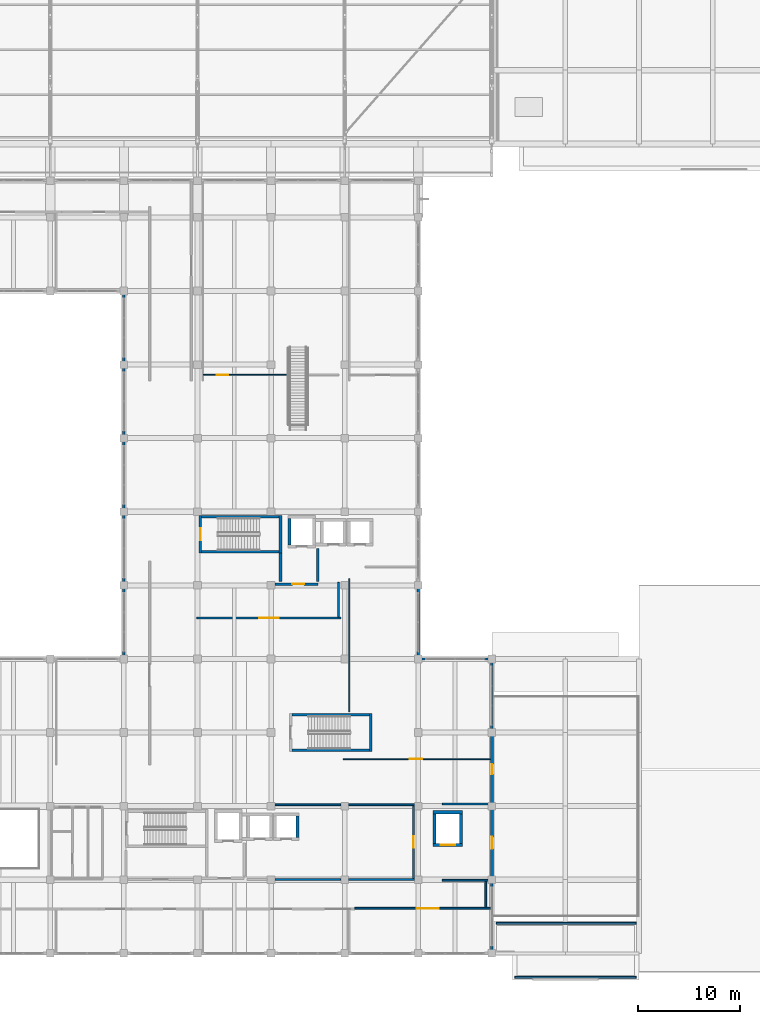
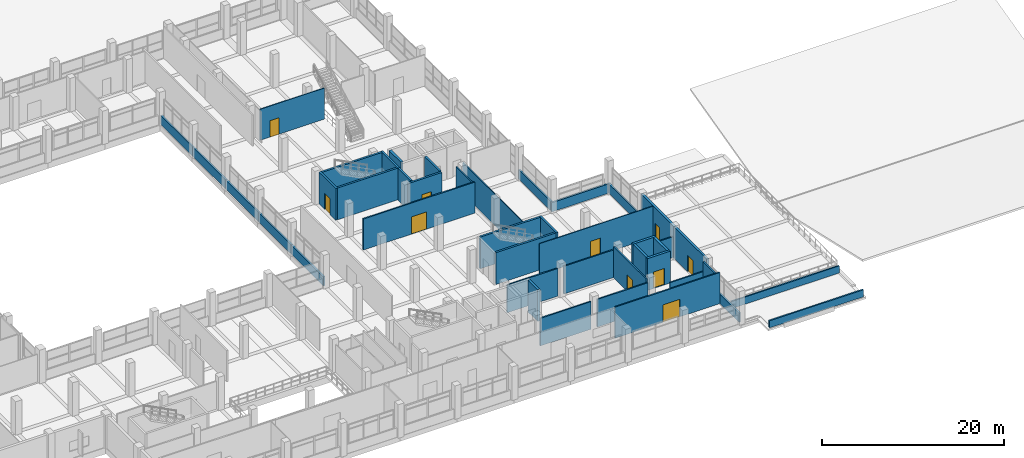
# One storey, part 130 of 141: 43 walls, 10 doors, 10 openings.
"""IFC4 building model written with IfcOpenShell, lengths in metres."""

from ifc_helpers import new_model, si_unit, direction, frame, frame_2d, origin, place, context, subcontext, project, spatial, rectangle, extrude, material, layer, layer_set, type_object, element, fill, save


model = new_model("IFC4")

# Units and contexts
model_context = context("Model", 3, precision=1e-05, world=origin(), true_north=direction((0.0, 1.0)))
body_context = subcontext(model_context, "Body", "Model", "MODEL_VIEW")
ifc_project = project(units=[si_unit("LENGTHUNIT", "METRE"), si_unit("AREAUNIT", "SQUARE_METRE"), si_unit("VOLUMEUNIT", "CUBIC_METRE"), si_unit("PLANEANGLEUNIT", "RADIAN"), si_unit("MASSUNIT", "GRAM", prefix="KILO")], contexts=[model_context])

# Site, building, storey
site_placement = place(None, origin())
site = spatial("IfcSite", under=ifc_project, at=site_placement, CompositionType="ELEMENT")
building_placement = place(site_placement, origin())
building = spatial("IfcBuilding", under=site, at=building_placement, Name="Seraya Terrace Polytechnic", CompositionType="ELEMENT")
storey_placement = place(building_placement, frame((0.0, 0.0, 14.39990234375)))
storey = spatial("IfcBuildingStorey", under=building, at=storey_placement, Name="L03", CompositionType="ELEMENT", Elevation=14.39990234375)

# Wall, opening, door
ifc_material_1 = material(Name="Precast concrete C40/50", Category="concrete")
ifc_layer_1 = layer(ifc_material_1, 0.280029296875, Name="EW-02")
ifc_layer_set_1 = layer_set([ifc_layer_1], Name="Precast concrete C40/50")
wall_type_1 = type_object("IfcWallType", Name="EW-02", PredefinedType="SOLIDWALL", material=ifc_layer_set_1)
wall_1_placement = place(storey_placement, frame((115.199951171875, 21.60009765625, 0.0), z_axis=(0.0, 0.0, 1.0), x_axis=(0.0, -1.0, 0.0)))
wall_1 = element("IfcWall", 1, at=wall_1_placement, inside=storey, type_object=wall_type_1, Name="Exterior structural wall EW-02 L03", PredefinedType="SOLIDWALL", context=body_context, shape_type="SweptSolid", body=[
    extrude(rectangle(XDim=7.2001953125, YDim=0.280029296875, at=frame_2d((3.60009765625, 0.0))), origin(), (0.0, 0.0, 1.0), 4.22021484375),
])
opening_1_placement = place(wall_1_placement, frame((3.10009765625, 0.0, 0.0)))
opening_1 = element("IfcOpeningElement", 2, at=opening_1_placement, cuts=wall_1, Name="Opening TD-01", PredefinedType="OPENING", context=body_context, shape_type="SweptSolid", body=[
    extrude(rectangle(XDim=1.0, YDim=2.14990234375, at=frame_2d((0.5, 1.074951171875))), frame((0.0, 0.15185546875, 0.0), z_axis=(0.0, -1.0, 0.0), x_axis=(1.0, 0.0, 0.0)), (0.0, 0.0, 1.0), 0.303955078125),
])
ifc_material_2 = material(Name="Anodised aluminium EN AW-6063 T6", Category="aluminium")
door_type_1 = type_object("IfcDoorType", Name="TD-01", OperationType="NOTDEFINED", PredefinedType="DOOR", material=ifc_material_2)
door_1_placement = place(opening_1_placement, origin())
door_1 = element("IfcDoor", 3, at=door_1_placement, inside=storey, type_object=door_type_1, Name="Door TD-01 DR-TERR-L03-11-01 in WL-EXT-L03-11-01", OperationType="SINGLE_SWING_LEFT", OverallHeight=2.14990234375, OverallWidth=1.0, PredefinedType="DOOR", context=body_context, shape_type="SweptSolid", body=[
    extrude(rectangle(XDim=1.0, YDim=2.14990234375, at=frame_2d((0.5, 1.074951171875))), frame((0.0, 0.02490234375, 0.0), z_axis=(0.0, -1.0, 0.0), x_axis=(1.0, 0.0, 0.0)), (0.0, 0.0, 1.0), 0.050048828125),
])
fill(opening_1, door_1)

wall_2_placement = place(storey_placement, frame((115.199951171875, 14.39990234375, 0.0), z_axis=(0.0, 0.0, 1.0), x_axis=(0.0, -1.0, 0.0)))
wall_2 = element("IfcWall", 4, at=wall_2_placement, inside=storey, type_object=wall_type_1, Name="Exterior structural wall EW-02 L03", PredefinedType="SOLIDWALL", context=body_context, shape_type="SweptSolid", body=[
    extrude(rectangle(XDim=7.199951171875, YDim=0.280029296875, at=frame_2d((3.60009765625, 0.0))), origin(), (0.0, 0.0, 1.0), 4.22021484375),
])
opening_2_placement = place(wall_2_placement, frame((3.010009765625, 0.0, 0.0)))
opening_2 = element("IfcOpeningElement", 5, at=opening_2_placement, cuts=wall_2, Name="Opening TD-02", PredefinedType="OPENING", context=body_context, shape_type="SweptSolid", body=[
    extrude(rectangle(XDim=1.179931640625, YDim=2.179931640625, at=frame_2d((0.58984375, 1.08984375))), frame((0.0, 0.15185546875, 0.0), z_axis=(0.0, -1.0, 0.0), x_axis=(1.0, 0.0, 0.0)), (0.0, 0.0, 1.0), 0.303955078125),
])
door_type_2 = type_object("IfcDoorType", Name="TD-02", OperationType="NOTDEFINED", PredefinedType="DOOR", material=ifc_material_2)
door_2_placement = place(opening_2_placement, origin())
door_2 = element("IfcDoor", 6, at=door_2_placement, inside=storey, type_object=door_type_2, Name="Door TD-02 DR-TERR-L03-11-02 in WL-EXT-L03-11-02", OperationType="SINGLE_SWING_RIGHT", OverallHeight=2.179931640625, OverallWidth=1.179931640625, PredefinedType="DOOR", context=body_context, shape_type="SweptSolid", body=[
    extrude(rectangle(XDim=1.179931640625, YDim=2.179931640625, at=frame_2d((0.58984375, 1.08984375))), frame((0.0, 0.02490234375, 0.0), z_axis=(0.0, -1.0, 0.0), x_axis=(1.0, 0.0, 0.0)), (0.0, 0.0, 1.0), 0.050048828125),
])
fill(opening_2, door_2)

# Walls
ifc_layer_2 = layer(ifc_material_1, 0.219970703125, Name="EW-05")
ifc_layer_set_2 = layer_set([ifc_layer_2], Name="Precast concrete C40/50")
wall_type_2 = type_object("IfcWallType", Name="EW-05", PredefinedType="SOLIDWALL", material=ifc_layer_set_2)
wall_3_placement = place(storey_placement, frame((108.0, 36.0, 0.0), z_axis=(0.0, 0.0, 1.0), x_axis=(0.0, -1.0, 0.0)))
element("IfcWall", 7, at=wall_3_placement, inside=storey, type_object=wall_type_2, Name="Precast spandrel wall L03", PredefinedType="SOLIDWALL", context=body_context, shape_type="SweptSolid", body=[
    extrude(rectangle(XDim=7.048095703125, YDim=0.219970703125, at=frame_2d((3.52392578125, 0.0))), origin(), (0.0, 0.0, 1.0), 1.239990234375),
])
wall_4_placement = place(storey_placement, frame((107.85009765625, 28.800048828125, 0.0), z_axis=(0.0, 0.0, 1.0), x_axis=(1.0, 0.0, 0.0)))
element("IfcWall", 8, at=wall_4_placement, inside=storey, type_object=wall_type_2, Name="Precast spandrel wall L03", PredefinedType="SOLIDWALL", context=body_context, shape_type="SweptSolid", body=[
    extrude(rectangle(XDim=7.5, YDim=0.219970703125, at=frame_2d((3.75, 0.0))), origin(), (0.0, 0.0, 1.0), 1.239990234375),
])
for number, where, z_axis, x_axis, name in (
    (9, (115.199951171875, 28.64794921875, 0.0), (0.0, 0.0, 1.0), (0.0, -1.0, 0.0), "Precast spandrel wall L03"),
    (10, (115.199951171875, 7.199951171875, 0.0), (0.0, 0.0, 1.0), (0.0, -1.0, 0.0), "Precast spandrel wall L03"),
):
    element("IfcWall", number, at=place(storey_placement, frame(where, z_axis=z_axis, x_axis=x_axis)), inside=storey, type_object=wall_type_2, Name=name, PredefinedType="SOLIDWALL", context=body_context, shape_type="SweptSolid", body=[
        extrude(rectangle(XDim=7.0478515625, YDim=0.219970703125, at=frame_2d((3.52392578125, 0.0))), origin(), (0.0, 0.0, 1.0), 1.239990234375),
    ])
wall_5_placement = place(storey_placement, frame((79.199951171875, 28.951904296875, 0.0), z_axis=(0.0, 0.0, 1.0), x_axis=(0.0, 1.0, 0.0)))
element("IfcWall", 11, at=wall_5_placement, inside=storey, type_object=wall_type_2, Name="Precast spandrel wall L03", PredefinedType="SOLIDWALL", context=body_context, shape_type="SweptSolid", body=[
    extrude(rectangle(XDim=7.048095703125, YDim=0.219970703125, at=frame_2d((3.52392578125, 0.0))), origin(), (0.0, 0.0, 1.0), 1.239990234375),
])
for number, where, z_axis, x_axis, name in (
    (12, (79.199951171875, 36.0, 0.0), (0.0, 0.0, 1.0), (0.0, 1.0, 0.0), "Precast spandrel wall L03"),
    (13, (79.199951171875, 43.199951171875, 0.0), (0.0, 0.0, 1.0), (0.0, 1.0, 0.0), "Precast spandrel wall L03"),
):
    element("IfcWall", number, at=place(storey_placement, frame(where, z_axis=z_axis, x_axis=x_axis)), inside=storey, type_object=wall_type_2, Name=name, PredefinedType="SOLIDWALL", context=body_context, shape_type="SweptSolid", body=[
        extrude(rectangle(XDim=7.199951171875, YDim=0.219970703125, at=frame_2d((3.60009765625, 0.0))), origin(), (0.0, 0.0, 1.0), 1.239990234375),
    ])
wall_6_placement = place(storey_placement, frame((79.199951171875, 50.39990234375, 0.0), z_axis=(0.0, 0.0, 1.0), x_axis=(0.0, 1.0, 0.0)))
element("IfcWall", 14, at=wall_6_placement, inside=storey, type_object=wall_type_2, Name="Precast spandrel wall L03", PredefinedType="SOLIDWALL", context=body_context, shape_type="SweptSolid", body=[
    extrude(rectangle(XDim=7.2001953125, YDim=0.219970703125, at=frame_2d((3.60009765625, 0.0))), origin(), (0.0, 0.0, 1.0), 1.239990234375),
])
wall_7_placement = place(storey_placement, frame((79.199951171875, 57.60009765625, 0.0), z_axis=(0.0, 0.0, 1.0), x_axis=(0.0, 1.0, 0.0)))
element("IfcWall", 15, at=wall_7_placement, inside=storey, type_object=wall_type_2, Name="Precast spandrel wall L03", PredefinedType="SOLIDWALL", context=body_context, shape_type="SweptSolid", body=[
    extrude(rectangle(XDim=7.0478515625, YDim=0.219970703125, at=frame_2d((3.52392578125, 0.0))), origin(), (0.0, 0.0, 1.0), 1.239990234375),
])
ifc_material_3 = material(Name="Autoclaved aerated concrete blockwork", Category="masonry")
ifc_layer_3 = layer(ifc_material_3, 0.169921875, Name="PT-02")
ifc_layer_set_3 = layer_set([ifc_layer_3], Name="Autoclaved aerated concrete blockwork")
wall_type_3 = type_object("IfcWallType", Name="PT-02", PredefinedType="PARTITIONING", material=ifc_layer_set_3)
wall_8_placement = place(storey_placement, frame((110.368408203125, 14.60009765625, 0.0), z_axis=(0.0, 0.0, 1.0), x_axis=(1.0, 0.0, 0.0)))
element("IfcWall", 16, at=wall_8_placement, inside=storey, type_object=wall_type_3, Name="Internal partition PT-02 L03", PredefinedType="PARTITIONING", context=body_context, shape_type="SweptSolid", body=[
    extrude(rectangle(XDim=4.6796875, YDim=0.169921875, at=frame_2d((2.33984375, 0.0))), origin(), (0.0, 0.0, 1.0), 2.780029296875),
])
for number, where, z_axis, x_axis, name in (
    (17, (93.985107421875, 14.530029296875, 0.0), (0.0, 0.0, 1.0), (1.0, 0.0, 0.0), "Internal partition PT-02 L03"),
    (18, (101.18505859375, 14.530029296875, 0.0), (0.0, 0.0, 1.0), (1.0, 0.0, 0.0), "Internal partition PT-02 L03"),
):
    element("IfcWall", number, at=place(storey_placement, frame(where, z_axis=z_axis, x_axis=x_axis)), inside=storey, type_object=wall_type_3, Name=name, PredefinedType="PARTITIONING", context=body_context, shape_type="SweptSolid", body=[
        extrude(rectangle(XDim=6.429931640625, YDim=0.169921875, at=frame_2d((3.21484375, 0.0))), origin(), (0.0, 0.0, 1.0), 3.7001953125),
    ])

# Wall, opening, door
wall_9_placement = place(storey_placement, frame((101.802978515625, 4.39990234375, 0.0), z_axis=(0.0, 0.0, 1.0), x_axis=(1.0, 0.0, 0.0)))
wall_9 = element("IfcWall", 19, at=wall_9_placement, inside=storey, type_object=wall_type_3, Name="Internal partition PT-02 L03", PredefinedType="PARTITIONING", context=body_context, shape_type="SweptSolid", body=[
    extrude(rectangle(XDim=13.27490234375, YDim=0.169921875, at=frame_2d((6.637451171875, 0.0))), origin(), (0.0, 0.0, 1.0), 4.16015625),
])
opening_3_placement = place(wall_9_placement, frame((6.03857421875, 0.0, 0.0)))
opening_3 = element("IfcOpeningElement", 20, at=opening_3_placement, cuts=wall_9, Name="Opening ID-18", PredefinedType="OPENING", context=body_context, shape_type="SweptSolid", body=[
    extrude(rectangle(XDim=2.159912109375, YDim=2.35009765625, at=frame_2d((1.080078125, 1.175048828125))), frame((0.0, 0.096923828125, 0.0), z_axis=(0.0, -1.0, 0.0), x_axis=(1.0, 0.0, 0.0)), (0.0, 0.0, 1.0), 0.19384765625),
])
ifc_material_4 = material(Name="Malaysian dark red meranti hardwood timber D40", Category="wood")
door_type_3 = type_object("IfcDoorType", Name="ID-18", OperationType="DOUBLE_DOOR_SINGLE_SWING", PredefinedType="DOOR", material=ifc_material_4)
door_3_placement = place(opening_3_placement, frame((2.159912109375, 0.0, 0.0), z_axis=(0.0, 0.0, 1.0), x_axis=(-1.0, 0.0, 0.0)))
door_3 = element("IfcDoor", 21, at=door_3_placement, inside=storey, type_object=door_type_3, Name="Door ID-18 DR-INT-L03-0191 in WL-INT-L03-0557", OperationType="DOUBLE_DOOR_SINGLE_SWING", OverallHeight=2.35009765625, OverallWidth=2.159912109375, PredefinedType="DOOR", context=body_context, shape_type="SweptSolid", body=[
    extrude(rectangle(XDim=2.159912109375, YDim=2.35009765625, at=frame_2d((1.080078125, 1.175048828125))), frame((0.0, 0.02490234375, 0.0), z_axis=(0.0, -1.0, 0.0), x_axis=(1.0, 0.0, 0.0)), (0.0, 0.0, 1.0), 0.050048828125),
])
fill(opening_3, door_3)

# Walls
wall_10_placement = place(storey_placement, frame((110.368408203125, 7.14990234375, 0.0), z_axis=(0.0, 0.0, 1.0), x_axis=(1.0, 0.0, 0.0)))
element("IfcWall", 22, at=wall_10_placement, inside=storey, type_object=wall_type_3, Name="Internal partition PT-02 L03", PredefinedType="PARTITIONING", context=body_context, shape_type="SweptSolid", body=[
    extrude(rectangle(XDim=4.70947265625, YDim=0.169921875, at=frame_2d((2.354736328125, 0.0))), origin(), (0.0, 0.0, 1.0), 2.780029296875),
])
wall_11_placement = place(storey_placement, frame((114.60009765625, 4.5, 0.0), z_axis=(0.0, 0.0, 1.0), x_axis=(0.0, 1.0, 0.0)))
element("IfcWall", 23, at=wall_11_placement, inside=storey, type_object=wall_type_3, Name="Internal partition PT-02 L03", PredefinedType="PARTITIONING", context=body_context, shape_type="SweptSolid", body=[
    extrude(rectangle(XDim=2.550048828125, YDim=0.169921875, at=frame_2d((1.27490234375, 0.0))), origin(), (0.0, 0.0, 1.0), 4.16015625),
])
for number, where, z_axis, x_axis, name in (
    (24, (93.985107421875, 7.219970703125, 0.0), (0.0, 0.0, 1.0), (1.0, 0.0, 0.0), "Internal partition PT-02 L03"),
    (25, (101.18505859375, 7.219970703125, 0.0), (0.0, 0.0, 1.0), (1.0, 0.0, 0.0), "Internal partition PT-02 L03"),
):
    element("IfcWall", number, at=place(storey_placement, frame(where, z_axis=z_axis, x_axis=x_axis)), inside=storey, type_object=wall_type_3, Name=name, PredefinedType="PARTITIONING", context=body_context, shape_type="SweptSolid", body=[
        extrude(rectangle(XDim=6.429931640625, YDim=0.169921875, at=frame_2d((3.21484375, 0.0))), origin(), (0.0, 0.0, 1.0), 3.7001953125),
    ])

# Wall, opening, door
wall_12_placement = place(storey_placement, frame((107.530029296875, 7.320068359375, 0.0), z_axis=(0.0, 0.0, 1.0), x_axis=(0.0, 1.0, 0.0)))
wall_12 = element("IfcWall", 26, at=wall_12_placement, inside=storey, type_object=wall_type_3, Name="Internal partition PT-02 L03", PredefinedType="PARTITIONING", context=body_context, shape_type="SweptSolid", body=[
    extrude(rectangle(XDim=7.10986328125, YDim=0.169921875, at=frame_2d((3.554931640625, 0.0))), origin(), (0.0, 0.0, 1.0), 4.16015625),
])
opening_4_placement = place(wall_12_placement, frame((2.985107421875, 0.0, 0.0)))
opening_4 = element("IfcOpeningElement", 27, at=opening_4_placement, cuts=wall_12, Name="Opening ID-06", PredefinedType="OPENING", context=body_context, shape_type="SweptSolid", body=[
    extrude(rectangle(XDim=1.139892578125, YDim=2.199951171875, at=frame_2d((0.56982421875, 1.10009765625))), frame((0.0, 0.096923828125, 0.0), z_axis=(0.0, -1.0, 0.0), x_axis=(1.0, 0.0, 0.0)), (0.0, 0.0, 1.0), 0.19384765625),
])
door_type_4 = type_object("IfcDoorType", Name="ID-06", OperationType="NOTDEFINED", PredefinedType="DOOR", material=ifc_material_4)
door_4_placement = place(opening_4_placement, frame((1.139892578125, 0.0, 0.0), z_axis=(0.0, 0.0, 1.0), x_axis=(-1.0, 0.0, 0.0)))
door_4 = element("IfcDoor", 28, at=door_4_placement, inside=storey, type_object=door_type_4, Name="Door ID-06 DR-INT-L03-0195 in WL-INT-L03-0569", OperationType="SINGLE_SWING_RIGHT", OverallHeight=2.199951171875, OverallWidth=1.139892578125, PredefinedType="DOOR", context=body_context, shape_type="SweptSolid", body=[
    extrude(rectangle(XDim=1.139892578125, YDim=2.199951171875, at=frame_2d((0.56982421875, 1.10009765625))), frame((0.0, 0.02490234375, 0.0), z_axis=(0.0, -1.0, 0.0), x_axis=(1.0, 0.0, 0.0)), (0.0, 0.0, 1.0), 0.050048828125),
])
fill(opening_4, door_4)

wall_13_placement = place(storey_placement, frame((86.334228515625, 32.800048828125, 0.0), z_axis=(0.0, 0.0, 1.0), x_axis=(1.0, 0.0, 0.0)))
wall_13 = element("IfcWall", 29, at=wall_13_placement, inside=storey, type_object=wall_type_3, Name="Internal partition PT-02 L03", PredefinedType="PARTITIONING", context=body_context, shape_type="SweptSolid", body=[
    extrude(rectangle(XDim=14.105712890625, YDim=0.169921875, at=frame_2d((7.052734375, 0.0))), origin(), (0.0, 0.0, 1.0), 4.16015625),
])
opening_5_placement = place(wall_13_placement, frame((6.093017578125, 0.0, 0.0)))
opening_5 = element("IfcOpeningElement", 30, at=opening_5_placement, cuts=wall_13, Name="Opening ID-16", PredefinedType="OPENING", context=body_context, shape_type="SweptSolid", body=[
    extrude(rectangle(XDim=1.919921875, YDim=2.320068359375, at=frame_2d((0.9599609375, 1.16015625))), frame((0.0, 0.096923828125, 0.0), z_axis=(0.0, -1.0, 0.0), x_axis=(1.0, 0.0, 0.0)), (0.0, 0.0, 1.0), 0.19384765625),
])
door_type_5 = type_object("IfcDoorType", Name="ID-16", OperationType="DOUBLE_DOOR_SINGLE_SWING", PredefinedType="DOOR", material=ifc_material_4)
door_5_placement = place(opening_5_placement, frame((1.919921875, 0.0, 0.0), z_axis=(0.0, 0.0, 1.0), x_axis=(-1.0, 0.0, 0.0)))
door_5 = element("IfcDoor", 31, at=door_5_placement, inside=storey, type_object=door_type_5, Name="Door ID-16 DR-INT-L03-0205 in WL-INT-L03-0574", OperationType="DOUBLE_DOOR_SINGLE_SWING", OverallHeight=2.320068359375, OverallWidth=1.919921875, PredefinedType="DOOR", context=body_context, shape_type="SweptSolid", body=[
    extrude(rectangle(XDim=1.919921875, YDim=2.320068359375, at=frame_2d((0.9599609375, 1.16015625))), frame((0.0, 0.02490234375, 0.0), z_axis=(0.0, -1.0, 0.0), x_axis=(1.0, 0.0, 0.0)), (0.0, 0.0, 1.0), 0.050048828125),
])
fill(opening_5, door_5)

# Walls
wall_14_placement = place(storey_placement, frame((100.199951171875, 32.89990234375, 0.0), z_axis=(0.0, 0.0, 1.0), x_axis=(0.0, 1.0, 0.0)))
element("IfcWall", 32, at=wall_14_placement, inside=storey, type_object=wall_type_3, Name="Internal partition PT-02 L03", PredefinedType="PARTITIONING", context=body_context, shape_type="SweptSolid", body=[
    extrude(rectangle(XDim=3.39013671875, YDim=0.169921875, at=frame_2d((1.695068359375, 0.0))), origin(), (0.0, 0.0, 1.0), 4.16015625),
])
ifc_layer_4 = layer(ifc_material_3, 0.1201171875, Name="PT-05")
ifc_layer_set_4 = layer_set([ifc_layer_4], Name="Autoclaved aerated concrete blockwork")
wall_type_4 = type_object("IfcWallType", Name="PT-05", PredefinedType="PARTITIONING", material=ifc_layer_set_4)
wall_15_placement = place(storey_placement, frame((101.242919921875, 23.6298828125, 0.0), z_axis=(0.0, 0.0, 1.0), x_axis=(0.0, 1.0, 0.0)))
element("IfcWall", 33, at=wall_15_placement, inside=storey, type_object=wall_type_4, Name="Internal partition PT-05 L03", PredefinedType="PARTITIONING", context=body_context, shape_type="SweptSolid", body=[
    extrude(rectangle(XDim=13.0400390625, YDim=0.1201171875, at=frame_2d((6.52001953125, 0.0))), origin(), (0.0, 0.0, 1.0), 4.16015625),
])

# Wall, opening, door
ifc_layer_5 = layer(ifc_material_3, 0.10009765625, Name="PT-06")
ifc_layer_set_5 = layer_set([ifc_layer_5], Name="Autoclaved aerated concrete blockwork")
wall_type_5 = type_object("IfcWallType", Name="PT-06", PredefinedType="PARTITIONING", material=ifc_layer_set_5)
wall_16_placement = place(storey_placement, frame((86.970703125, 56.590087890625, 0.0), z_axis=(0.0, 0.0, 1.0), x_axis=(1.0, 0.0, 0.0)))
wall_16 = element("IfcWall", 34, at=wall_16_placement, inside=storey, type_object=wall_type_5, Name="Internal partition PT-06 L03", PredefinedType="PARTITIONING", context=body_context, shape_type="SweptSolid", body=[
    extrude(rectangle(XDim=8.17919921875, YDim=0.10009765625, at=frame_2d((4.089599609375, 0.0))), origin(), (0.0, 0.0, 1.0), 4.16015625),
])
opening_6_placement = place(wall_16_placement, frame((1.319580078125, 0.0, 0.0)))
opening_6 = element("IfcOpeningElement", 35, at=opening_6_placement, cuts=wall_16, Name="Opening ID-06", PredefinedType="OPENING", context=body_context, shape_type="SweptSolid", body=[
    extrude(rectangle(XDim=1.139892578125, YDim=2.199951171875, at=frame_2d((0.56982421875, 1.10009765625))), frame((0.0, 0.06201171875, 0.0), z_axis=(0.0, -1.0, 0.0), x_axis=(1.0, 0.0, 0.0)), (0.0, 0.0, 1.0), 0.1240234375),
])
door_6_placement = place(opening_6_placement, frame((1.139892578125, 0.0, 0.0), z_axis=(0.0, 0.0, 1.0), x_axis=(-1.0, 0.0, 0.0)))
door_6 = element("IfcDoor", 36, at=door_6_placement, inside=storey, type_object=door_type_4, Name="Door ID-06 DR-INT-L03-0211 in WL-INT-L03-0618", OperationType="SINGLE_SWING_RIGHT", OverallHeight=2.199951171875, OverallWidth=1.139892578125, PredefinedType="DOOR", context=body_context, shape_type="SweptSolid", body=[
    extrude(rectangle(XDim=1.139892578125, YDim=2.199951171875, at=frame_2d((0.56982421875, 1.10009765625))), frame((0.0, 0.02490234375, 0.0), z_axis=(0.0, -1.0, 0.0), x_axis=(1.0, 0.0, 0.0)), (0.0, 0.0, 1.0), 0.050048828125),
])
fill(opening_6, door_6)

wall_17_placement = place(storey_placement, frame((100.682861328125, 19.010009765625, 0.0), z_axis=(0.0, 0.0, 1.0), x_axis=(1.0, 0.0, 0.0)))
wall_17 = element("IfcWall", 37, at=wall_17_placement, inside=storey, type_object=wall_type_5, Name="Internal partition PT-06 L03", PredefinedType="PARTITIONING", context=body_context, shape_type="SweptSolid", body=[
    extrude(rectangle(XDim=14.365234375, YDim=0.10009765625, at=frame_2d((7.1826171875, 0.0))), origin(), (0.0, 0.0, 1.0), 4.16015625),
])
opening_7_placement = place(wall_17_placement, frame((6.488525390625, 0.0, 0.0)))
opening_7 = element("IfcOpeningElement", 38, at=opening_7_placement, cuts=wall_17, Name="Opening ID-07", PredefinedType="OPENING", context=body_context, shape_type="SweptSolid", body=[
    extrude(rectangle(XDim=1.219970703125, YDim=2.219970703125, at=frame_2d((0.60986328125, 1.10986328125))), frame((0.0, 0.06201171875, 0.0), z_axis=(0.0, -1.0, 0.0), x_axis=(1.0, 0.0, 0.0)), (0.0, 0.0, 1.0), 0.1240234375),
])
door_type_6 = type_object("IfcDoorType", Name="ID-07", OperationType="NOTDEFINED", PredefinedType="DOOR", material=ifc_material_4)
door_7_placement = place(opening_7_placement, origin())
door_7 = element("IfcDoor", 39, at=door_7_placement, inside=storey, type_object=door_type_6, Name="Door ID-07 DR-INT-L03-0212 in WL-INT-L03-0621", OperationType="SINGLE_SWING_LEFT", OverallHeight=2.219970703125, OverallWidth=1.219970703125, PredefinedType="DOOR", context=body_context, shape_type="SweptSolid", body=[
    extrude(rectangle(XDim=1.219970703125, YDim=2.219970703125, at=frame_2d((0.60986328125, 1.10986328125))), frame((0.0, 0.02490234375, 0.0), z_axis=(0.0, -1.0, 0.0), x_axis=(1.0, 0.0, 0.0)), (0.0, 0.0, 1.0), 0.050048828125),
])
fill(opening_7, door_7)

# Walls
ifc_layer_6 = layer(ifc_material_1, 0.179931640625, Name="PW-P2")
ifc_layer_set_6 = layer_set([ifc_layer_6], Name="Precast concrete C40/50")
wall_type_6 = type_object("IfcWallType", Name="PW-P2", PredefinedType="PARAPET", material=ifc_layer_set_6)
wall_18_placement = place(storey_placement, frame((129.35009765625, -2.35009765625, 0.0), z_axis=(0.0, 0.0, 1.0), x_axis=(-1.0, 0.0, 0.0)))
element("IfcWall", 40, at=wall_18_placement, inside=storey, type_object=wall_type_6, Name="Roof parapet ROOF-L03-SESOUTH 1.1", PredefinedType="PARAPET", context=body_context, shape_type="SweptSolid", body=[
    extrude(rectangle(XDim=11.884033203125, YDim=0.179931640625, at=frame_2d((5.94189453125, 0.0))), origin(), (0.0, 0.0, 1.0), 0.9501953125),
])
wall_19_placement = place(storey_placement, frame((115.64990234375, 2.929931640625, 0.0), z_axis=(0.0, 0.0, 1.0), x_axis=(1.0, 0.0, 0.0)))
element("IfcWall", 41, at=wall_19_placement, inside=storey, type_object=wall_type_6, Name="Roof parapet ROOF-L03-SESOUTH 9.1", PredefinedType="PARAPET", context=body_context, shape_type="SweptSolid", body=[
    extrude(rectangle(XDim=13.7001953125, YDim=0.179931640625, at=frame_2d((6.85009765625, 0.0))), origin(), (0.0, 0.0, 1.0), 0.9501953125),
])
ifc_material_5 = material(Name="Concrete C40/50", Category="concrete")
ifc_layer_7 = layer(ifc_material_5, 0.300048828125, Name="SW-01")
ifc_layer_set_7 = layer_set([ifc_layer_7], Name="Concrete C40/50")
wall_type_7 = type_object("IfcWallType", Name="SW-01", PredefinedType="SHEAR", material=ifc_layer_set_7)
wall_20_placement = place(storey_placement, frame((96.199951171875, 11.35009765625, 0.0), z_axis=(0.0, 0.0, 1.0), x_axis=(0.0, 1.0, 0.0)))
element("IfcWall", 42, at=wall_20_placement, inside=storey, type_object=wall_type_7, Name="Lift shaft PL-02 East wall L03", PredefinedType="SHEAR", context=body_context, shape_type="SweptSolid", body=[
    extrude(rectangle(XDim=2.099853515625, YDim=0.300048828125, at=frame_2d((1.0498046875, 0.0))), origin(), (0.0, 0.0, 1.0), 4.25),
])
wall_21_placement = place(storey_placement, frame((95.39990234375, 39.949951171875, 0.0), z_axis=(0.0, 0.0, 1.0), x_axis=(0.0, 1.0, 0.0)))
element("IfcWall", 43, at=wall_21_placement, inside=storey, type_object=wall_type_7, Name="Lift shaft FL-02 West wall L03", PredefinedType="SHEAR", context=body_context, shape_type="SweptSolid", body=[
    extrude(rectangle(XDim=2.60009765625, YDim=0.300048828125, at=frame_2d((1.300048828125, 0.0))), origin(), (0.0, 0.0, 1.0), 4.25),
])

# Wall, opening, door
wall_22_placement = place(storey_placement, frame((109.449951171875, 10.60009765625, 0.0), z_axis=(0.0, 0.0, 1.0), x_axis=(1.0, 0.0, 0.0)))
wall_22 = element("IfcWall", 44, at=wall_22_placement, inside=storey, type_object=wall_type_7, Name="Lift shaft GL-02 South wall L03", PredefinedType="SHEAR", context=body_context, shape_type="SweptSolid", body=[
    extrude(rectangle(XDim=2.900146484375, YDim=0.300048828125, at=frame_2d((1.4501953125, 0.0))), origin(), (0.0, 0.0, 1.0), 4.25),
])
opening_8_placement = place(wall_22_placement, frame((0.75, 0.0, 0.0)))
opening_8 = element("IfcOpeningElement", 45, at=opening_8_placement, cuts=wall_22, Name="Opening LD-02", PredefinedType="OPENING", context=body_context, shape_type="SweptSolid", body=[
    extrude(rectangle(XDim=1.39990234375, YDim=2.199951171875, at=frame_2d((0.699951171875, 1.10009765625))), frame((0.0, 0.162109375, 0.0), z_axis=(0.0, -1.0, 0.0), x_axis=(1.0, 0.0, 0.0)), (0.0, 0.0, 1.0), 0.323974609375),
])
ifc_material_6 = material(Name="Steel S355J2", Category="steel")
door_type_7 = type_object("IfcDoorType", Name="LD-02", OperationType="SLIDING_TO_RIGHT", PredefinedType="DOOR", material=ifc_material_6)
door_8_placement = place(opening_8_placement, frame((1.39990234375, 0.0, 0.0), z_axis=(0.0, 0.0, 1.0), x_axis=(-1.0, 0.0, 0.0)))
door_8 = element("IfcDoor", 46, at=door_8_placement, inside=storey, type_object=door_type_7, Name="Door LD-02 LD-GL-02-L03 in WL-SHF-GL-02-L03-S", OperationType="SLIDING_TO_RIGHT", OverallHeight=2.199951171875, OverallWidth=1.39990234375, PredefinedType="DOOR", context=body_context, shape_type="SweptSolid", body=[
    extrude(rectangle(XDim=1.39990234375, YDim=2.199951171875, at=frame_2d((0.699951171875, 1.10009765625))), frame((0.0, 0.02490234375, 0.0), z_axis=(0.0, -1.0, 0.0), x_axis=(1.0, 0.0, 0.0)), (0.0, 0.0, 1.0), 0.050048828125),
])
fill(opening_8, door_8)

# Walls
wall_23_placement = place(storey_placement, frame((109.449951171875, 13.800048828125, 0.0), z_axis=(0.0, 0.0, 1.0), x_axis=(1.0, 0.0, 0.0)))
element("IfcWall", 47, at=wall_23_placement, inside=storey, type_object=wall_type_7, Name="Lift shaft GL-02 North wall L03", PredefinedType="SHEAR", context=body_context, shape_type="SweptSolid", body=[
    extrude(rectangle(XDim=2.900146484375, YDim=0.300048828125, at=frame_2d((1.4501953125, 0.0))), origin(), (0.0, 0.0, 1.0), 4.25),
])
for number, where, z_axis, x_axis, name in (
    (48, (109.60009765625, 10.75, 0.0), (0.0, 0.0, 1.0), (0.0, 1.0, 0.0), "Lift shaft GL-02 West wall L03"),
    (49, (112.199951171875, 10.75, 0.0), (0.0, 0.0, 1.0), (0.0, 1.0, 0.0), "Lift shaft GL-02 East wall L03"),
):
    element("IfcWall", number, at=place(storey_placement, frame(where, z_axis=z_axis, x_axis=x_axis)), inside=storey, type_object=wall_type_7, Name=name, PredefinedType="SHEAR", context=body_context, shape_type="SweptSolid", body=[
        extrude(rectangle(XDim=2.89990234375, YDim=0.300048828125, at=frame_2d((1.449951171875, 0.0))), origin(), (0.0, 0.0, 1.0), 4.25),
    ])

# Wall, opening, door
ifc_layer_8 = layer(ifc_material_5, 0.25, Name="SW-02")
ifc_layer_set_8 = layer_set([ifc_layer_8], Name="Concrete C40/50")
wall_type_8 = type_object("IfcWallType", Name="SW-02", PredefinedType="SHEAR", material=ifc_layer_set_8)
wall_24_placement = place(storey_placement, frame((86.675048828125, 39.14990234375, 0.0), z_axis=(0.0, 0.0, 1.0), x_axis=(0.0, 1.0, 0.0)))
wall_24 = element("IfcWall", 50, at=wall_24_placement, inside=storey, type_object=wall_type_8, Name="Stairwell ST-02 West wall L03", PredefinedType="SHEAR", context=body_context, shape_type="SweptSolid", body=[
    extrude(rectangle(XDim=3.7001953125, YDim=0.25, at=frame_2d((1.85009765625, 0.0))), origin(), (0.0, 0.0, 1.0), 4.25),
])
opening_9_placement = place(wall_24_placement, frame((1.25, 0.0, 0.0)))
opening_9 = element("IfcOpeningElement", 51, at=opening_9_placement, cuts=wall_24, Name="Opening FD-01", PredefinedType="OPENING", context=body_context, shape_type="SweptSolid", body=[
    extrude(rectangle(XDim=1.199951171875, YDim=2.14990234375, at=frame_2d((0.60009765625, 1.074951171875))), frame((0.0, 0.136962890625, 0.0), z_axis=(0.0, -1.0, 0.0), x_axis=(1.0, 0.0, 0.0)), (0.0, 0.0, 1.0), 0.27392578125),
])
door_type_8 = type_object("IfcDoorType", Name="FD-01", OperationType="NOTDEFINED", PredefinedType="DOOR", material=ifc_material_6)
door_9_placement = place(opening_9_placement, frame((1.199951171875, 0.0, 0.0), z_axis=(0.0, 0.0, 1.0), x_axis=(-1.0, 0.0, 0.0)))
door_9 = element("IfcDoor", 52, at=door_9_placement, inside=storey, type_object=door_type_8, Name="Door FD-01 DR-STR-ST-02-L03 in WL-STR-ST-02-L03-W", OperationType="SINGLE_SWING_RIGHT", OverallHeight=2.14990234375, OverallWidth=1.199951171875, PredefinedType="DOOR", context=body_context, shape_type="SweptSolid", body=[
    extrude(rectangle(XDim=1.199951171875, YDim=2.14990234375, at=frame_2d((0.60009765625, 1.074951171875))), frame((0.0, 0.02490234375, 0.0), z_axis=(0.0, -1.0, 0.0), x_axis=(1.0, 0.0, 0.0)), (0.0, 0.0, 1.0), 0.050048828125),
])
fill(opening_9, door_9)

# Walls
wall_25_placement = place(storey_placement, frame((94.52490234375, 39.14990234375, 0.0), z_axis=(0.0, 0.0, 1.0), x_axis=(0.0, 1.0, 0.0)))
element("IfcWall", 53, at=wall_25_placement, inside=storey, type_object=wall_type_8, Name="Stairwell ST-02 East wall L03", PredefinedType="SHEAR", context=body_context, shape_type="SweptSolid", body=[
    extrude(rectangle(XDim=3.7001953125, YDim=0.25, at=frame_2d((1.85009765625, 0.0))), origin(), (0.0, 0.0, 1.0), 4.25),
])
for number, where, z_axis, x_axis, name in (
    (54, (86.800048828125, 39.27490234375, 0.0), (0.0, 0.0, 1.0), (1.0, 0.0, 0.0), "Stairwell ST-02 South wall L03"),
    (55, (86.800048828125, 42.72509765625, 0.0), (0.0, 0.0, 1.0), (1.0, 0.0, 0.0), "Stairwell ST-02 North wall L03"),
):
    element("IfcWall", number, at=place(storey_placement, frame(where, z_axis=z_axis, x_axis=x_axis)), inside=storey, type_object=wall_type_8, Name=name, PredefinedType="SHEAR", context=body_context, shape_type="SweptSolid", body=[
        extrude(rectangle(XDim=7.599853515625, YDim=0.25, at=frame_2d((3.7998046875, 0.0))), origin(), (0.0, 0.0, 1.0), 4.25),
    ])
wall_26_placement = place(storey_placement, frame((103.375, 19.75, 0.0), z_axis=(0.0, 0.0, 1.0), x_axis=(0.0, 1.0, 0.0)))
element("IfcWall", 56, at=wall_26_placement, inside=storey, type_object=wall_type_8, Name="Stairwell ST-05 East wall L03", PredefinedType="SHEAR", context=body_context, shape_type="SweptSolid", body=[
    extrude(rectangle(XDim=3.699951171875, YDim=0.25, at=frame_2d((1.85009765625, 0.0))), origin(), (0.0, 0.0, 1.0), 4.25),
])
for number, where, z_axis, x_axis, name in (
    (57, (95.64990234375, 19.875, 0.0), (0.0, 0.0, 1.0), (1.0, 0.0, 0.0), "Stairwell ST-05 South wall L03"),
    (58, (95.64990234375, 23.324951171875, 0.0), (0.0, 0.0, 1.0), (1.0, 0.0, 0.0), "Stairwell ST-05 North wall L03"),
):
    element("IfcWall", number, at=place(storey_placement, frame(where, z_axis=z_axis, x_axis=x_axis)), inside=storey, type_object=wall_type_8, Name=name, PredefinedType="SHEAR", context=body_context, shape_type="SweptSolid", body=[
        extrude(rectangle(XDim=7.60009765625, YDim=0.25, at=frame_2d((3.800048828125, 0.0))), origin(), (0.0, 0.0, 1.0), 4.25),
    ])

# Wall, opening, door
wall_27_placement = place(storey_placement, frame((93.97509765625, 36.125, 0.0), z_axis=(0.0, 0.0, 1.0), x_axis=(1.0, 0.0, 0.0)))
wall_27 = element("IfcWall", 59, at=wall_27_placement, inside=storey, type_object=wall_type_8, Name="Firefighting lobby B South wall L03", PredefinedType="SHEAR", context=body_context, shape_type="SweptSolid", body=[
    extrude(rectangle(XDim=4.199951171875, YDim=0.25, at=frame_2d((2.10009765625, 0.0))), origin(), (0.0, 0.0, 1.0), 4.25),
])
opening_10_placement = place(wall_27_placement, frame((1.699951171875, 0.0, 0.0)))
opening_10 = element("IfcOpeningElement", 60, at=opening_10_placement, cuts=wall_27, Name="Opening FD-02", PredefinedType="OPENING", context=body_context, shape_type="SweptSolid", body=[
    extrude(rectangle(XDim=1.14990234375, YDim=2.14990234375, at=frame_2d((0.574951171875, 1.074951171875))), frame((0.0, 0.136962890625, 0.0), z_axis=(0.0, -1.0, 0.0), x_axis=(1.0, 0.0, 0.0)), (0.0, 0.0, 1.0), 0.27392578125),
])
door_type_9 = type_object("IfcDoorType", Name="FD-02", OperationType="NOTDEFINED", PredefinedType="DOOR", material=ifc_material_6)
door_10_placement = place(opening_10_placement, frame((1.14990234375, 0.0, 0.0), z_axis=(0.0, 0.0, 1.0), x_axis=(-1.0, 0.0, 0.0)))
door_10 = element("IfcDoor", 61, at=door_10_placement, inside=storey, type_object=door_type_9, Name="Door FD-02 DR-FFL-CORE-B-L03 in WL-FFL-CORE-B-L03-S", OperationType="SINGLE_SWING_LEFT", OverallHeight=2.14990234375, OverallWidth=1.14990234375, PredefinedType="DOOR", context=body_context, shape_type="SweptSolid", body=[
    extrude(rectangle(XDim=1.14990234375, YDim=2.14990234375, at=frame_2d((0.574951171875, 1.074951171875))), frame((0.0, 0.02490234375, 0.0), z_axis=(0.0, -1.0, 0.0), x_axis=(1.0, 0.0, 0.0)), (0.0, 0.0, 1.0), 0.050048828125),
])
fill(opening_10, door_10)

# Walls
wall_28_placement = place(storey_placement, frame((94.52490234375, 36.375, 0.0), z_axis=(0.0, 0.0, 1.0), x_axis=(0.0, 1.0, 0.0)))
element("IfcWall", 62, at=wall_28_placement, inside=storey, type_object=wall_type_8, Name="Firefighting lobby B West wall L03", PredefinedType="SHEAR", context=body_context, shape_type="SweptSolid", body=[
    extrude(rectangle(XDim=2.77001953125, YDim=0.25, at=frame_2d((1.385009765625, 0.0))), origin(), (0.0, 0.0, 1.0), 4.25),
])
wall_29_placement = place(storey_placement, frame((98.175048828125, 36.375, 0.0), z_axis=(0.0, 0.0, 1.0), x_axis=(0.0, 1.0, 0.0)))
element("IfcWall", 63, at=wall_29_placement, inside=storey, type_object=wall_type_8, Name="Firefighting lobby B East wall L03", PredefinedType="SHEAR", context=body_context, shape_type="SweptSolid", body=[
    extrude(rectangle(XDim=3.22509765625, YDim=0.25, at=frame_2d((1.612548828125, 0.0))), origin(), (0.0, 0.0, 1.0), 4.25),
])

save(model, "model.ifc")
